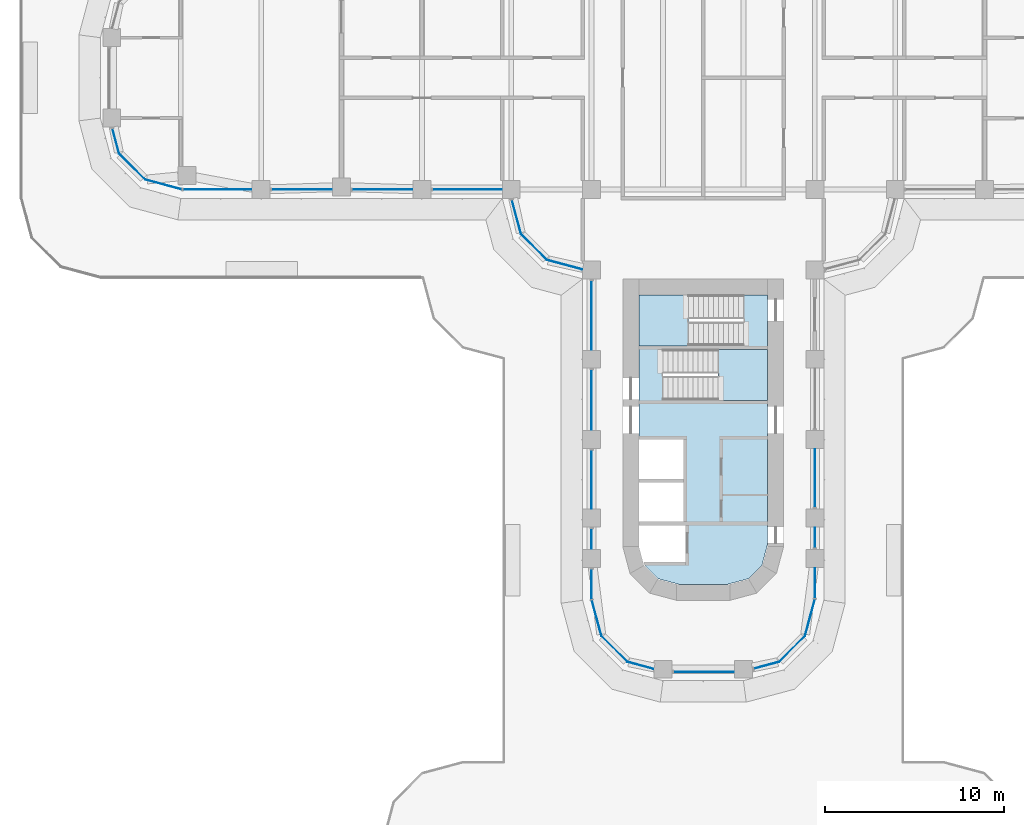
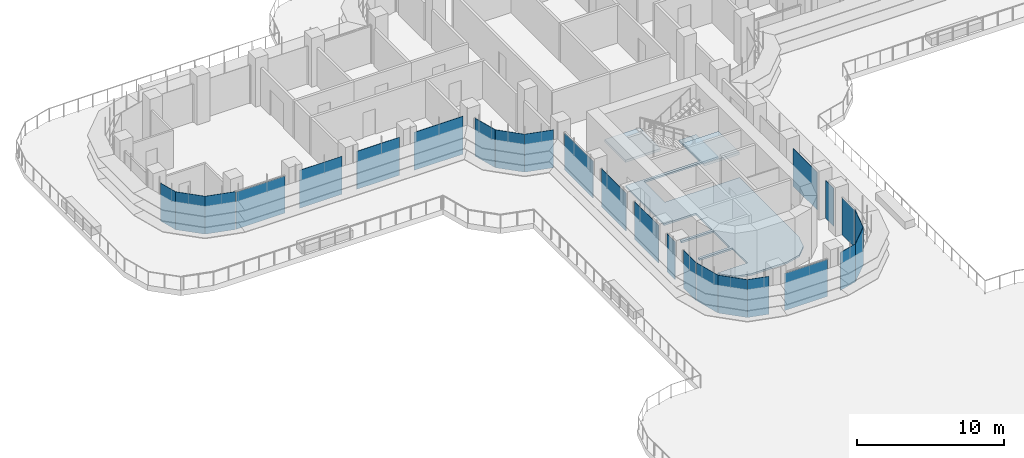
# One storey, part 12 of 26: 25 plates, 3 slabs, 18 elements without a shape of their own.
"""IFC4 building model written with IfcOpenShell, lengths in metres."""

from ifc_helpers import new_model, si_unit, direction, frame, origin, place, context, subcontext, project, spatial, polyline, outline, extrude, source, transform, mapped, material, layer, layer_set, type_object, element, aggregate, save


model = new_model("IFC4")

# Units and contexts
model_context = context("Model", 3, precision=1e-05, world=origin(), true_north=direction((0.0, 1.0)))
body_context = subcontext(model_context, "Body", "Model", "MODEL_VIEW")
ifc_project = project(units=[si_unit("LENGTHUNIT", "METRE"), si_unit("AREAUNIT", "SQUARE_METRE"), si_unit("VOLUMEUNIT", "CUBIC_METRE"), si_unit("PLANEANGLEUNIT", "RADIAN"), si_unit("MASSUNIT", "GRAM", prefix="KILO")], contexts=[model_context])

# Site, building, storey
site_placement = place(None, origin())
site = spatial("IfcSite", under=ifc_project, at=site_placement, CompositionType="ELEMENT")
building_placement = place(site_placement, origin())
building = spatial("IfcBuilding", under=site, at=building_placement, Name="Zarbagh Exchange Tower", CompositionType="ELEMENT")
storey_placement = place(building_placement, frame((0.0, 0.0, 27.0)))
storey = spatial("IfcBuildingStorey", under=building, at=storey_placement, Name="L05", CompositionType="ELEMENT", Elevation=27.0)

# Slab
ifc_material_1 = material(Name="Concrete C40/50", Category="concrete")
ifc_layer_1 = layer(ifc_material_1, 0.14990234375)
ifc_layer_set_1 = layer_set([ifc_layer_1], Name="Core floor slab 150 C40/50")
slab_type_1 = type_object("IfcSlabType", Name="Core floor slab 150 C40/50", PredefinedType="FLOOR", material=ifc_layer_set_1)
slab_1_placement = place(storey_placement, frame((0.0, 0.0, -0.14990234375)))
element("IfcSlab", 1, at=slab_1_placement, inside=storey, type_object=slab_type_1, Name="S17 core S", PredefinedType="FLOOR", context=body_context, shape_type="SweptSolid", body=[
    extrude(outline(polyline([(-2.5341796875, -28.041259765625), (-3.291259765625, -27.2841796875), (-3.340576171875, -27.10009765625), (-1.0, -27.10009765625), (-1.0, -25.050048828125), (-3.60009765625, -25.050048828125), (-3.60009765625, -24.85009765625), (-1.10009765625, -24.85009765625), (-1.10009765625, -22.64990234375), (-3.60009765625, -22.64990234375), (-3.60009765625, -22.449951171875), (-1.10009765625, -22.449951171875), (-1.10009765625, -20.25), (-3.60009765625, -20.25), (-3.60009765625, -15.0), (2.25, -15.0), (2.25, -12.14990234375), (3.60009765625, -12.14990234375), (3.60009765625, -15.199951171875), (-2.25, -15.199951171875), (-2.25, -18.050048828125), (3.60009765625, -18.050048828125), (3.60009765625, -26.131591796875), (3.291259765625, -27.2841796875), (2.5341796875, -28.041259765625), (1.381591796875, -28.35009765625), (-1.381591796875, -28.35009765625), (-2.5341796875, -28.041259765625)])), origin(), (0.0, 0.0, 1.0), 0.14990234375),
])

# Stair, slab
stair_type = type_object("IfcStairType", Name="Exit stair two-flight half-turn", PredefinedType="HALF_TURN_STAIR", material=ifc_material_1)
stair_1_placement = place(storey_placement, origin())
stair_1 = element("IfcStair", 2, at=stair_1_placement, inside=storey, type_object=stair_type, Name="exit stair ST3", PredefinedType="HALF_TURN_STAIR")
ifc_layer_2 = layer(ifc_material_1, 0.199951171875)
ifc_layer_set_2 = layer_set([ifc_layer_2], Name="Stair landing 200 mm")
slab_type_2 = type_object("IfcSlabType", Name="Stair landing 200 mm", PredefinedType="LANDING", material=ifc_layer_set_2)
slab_2_placement = place(storey_placement, frame((0.0, 0.0, 1.89990234375)))
slab_2 = element("IfcSlab", 3, at=slab_2_placement, type_object=slab_type_2, Name="ST3 landing 1", PredefinedType="LANDING", context=body_context, shape_type="SweptSolid", body=[
    extrude(outline(polyline([(0.830078125, -18.050048828125), (3.60009765625, -18.050048828125), (3.60009765625, -15.199951171875), (0.830078125, -15.199951171875), (0.830078125, -18.050048828125)])), origin(), (0.0, 0.0, 1.0), 0.2001953125),
])
aggregate(stair_1, [slab_2])

stair_2_placement = place(storey_placement, origin())
stair_2 = element("IfcStair", 4, at=stair_2_placement, inside=storey, type_object=stair_type, Name="exit stair ST4", PredefinedType="HALF_TURN_STAIR")
slab_3_placement = place(storey_placement, frame((0.0, 0.0, 1.89990234375)))
slab_3 = element("IfcSlab", 5, at=slab_3_placement, type_object=slab_type_2, Name="ST4 landing 1", PredefinedType="LANDING", context=body_context, shape_type="SweptSolid", body=[
    extrude(outline(polyline([(-0.830078125, -12.14990234375), (-3.60009765625, -12.14990234375), (-3.60009765625, -15.0), (-0.830078125, -15.0), (-0.830078125, -12.14990234375)])), origin(), (0.0, 0.0, 1.0), 0.2001953125),
])
aggregate(stair_2, [slab_3])

# Curtain wall, plate
ifc_material_2 = material(Name="Anodised aluminium frame and glazing", Category="aluminium")
curtain_wall_type = type_object("IfcCurtainWallType", Name="CWA Ribbon glazing, lower zones", PredefinedType="NOTDEFINED", material=ifc_material_2)
curtain_wall_1_placement = place(storey_placement, origin())
curtain_wall_1 = element("IfcCurtainWall", 6, at=curtain_wall_1_placement, inside=storey, type_object=curtain_wall_type, Name="CWA01 curtain wall", PredefinedType="NOTDEFINED")
ifc_material_3 = material(Name="Low-e double glazed unit, 6+12+6 mm")
ifc_layer_3 = layer(ifc_material_3, 0.028076171875)
ifc_layer_set_3 = layer_set([ifc_layer_3], Name="PAA Glazing panel, Low-e double glazed unit, 6+12+6 mm")
plate_type = type_object("IfcPlateType", Name="PAA Glazing panel, Low-e double glazed unit, 6+12+6 mm", PredefinedType="CURTAIN_PANEL", material=ifc_layer_set_3)
shared_shape_1 = source(origin(), body_context, "Body", "SweptSolid", [
    extrude(outline(polyline([(0.0, -0.013916015625), (1.4423828125, -0.013916015625), (1.4423828125, 0.013916015625), (0.0, 0.013916015625), (0.0, -0.013916015625)])), origin(), (0.0, 0.0, 1.0), 3.14990234375),
])
placement = place(storey_placement, origin())
plate_1 = element("IfcPlate", 7, at=placement, type_object=plate_type, Name="CWA01 glazing panel 1.1", PredefinedType="CURTAIN_PANEL", context=body_context, shape_type="MappedRepresentation", body=[
    mapped(shared_shape_1, transform((2.847900390625, -33.072021484375, 0.0), x_axis=(0.965924289636, 0.258824779902, 0.0), y_axis=(-0.258824779902, 0.965924289636, 0.0), z_axis=(0.0, 0.0, 1.0))),
])
aggregate(curtain_wall_1, [plate_1])

curtain_wall_2_placement = place(storey_placement, origin())
curtain_wall_2 = element("IfcCurtainWall", 8, at=curtain_wall_2_placement, inside=storey, type_object=curtain_wall_type, Name="CWA37 curtain wall", PredefinedType="NOTDEFINED")
plate_2 = element("IfcPlate", 9, at=placement, type_object=plate_type, Name="CWA37 glazing panel 1.1", PredefinedType="CURTAIN_PANEL", context=body_context, shape_type="MappedRepresentation", body=[
    mapped(shared_shape_1, transform((-33.072021484375, -2.847900390625, 0.0), x_axis=(0.258824779902, -0.965924289636, 0.0), y_axis=(0.965924289636, 0.258824779902, 0.0), z_axis=(0.0, 0.0, 1.0))),
])
aggregate(curtain_wall_2, [plate_2])

curtain_wall_3_placement = place(storey_placement, origin())
curtain_wall_3 = element("IfcCurtainWall", 10, at=curtain_wall_3_placement, inside=storey, type_object=curtain_wall_type, Name="CWA02 curtain wall", PredefinedType="NOTDEFINED")
shared_shape_2 = source(origin(), body_context, "Body", "SweptSolid", [
    extrude(outline(polyline([(0.0, -0.013916015625), (2.061279296875, -0.013916015625), (2.061279296875, 0.013916015625), (0.0, 0.013916015625), (0.0, -0.013916015625)])), origin(), (0.0, 0.0, 1.0), 3.14990234375),
])
plate_3 = element("IfcPlate", 11, at=placement, type_object=plate_type, Name="CWA02 glazing panel 1.1", PredefinedType="CURTAIN_PANEL", context=body_context, shape_type="MappedRepresentation", body=[
    mapped(shared_shape_2, transform((4.2412109375, -32.69873046875, 0.0), x_axis=(0.707106781187, 0.707106781187, 0.0), y_axis=(-0.707106781187, 0.707106781187, 0.0), z_axis=(0.0, 0.0, 1.0))),
])
aggregate(curtain_wall_3, [plate_3])

curtain_wall_4_placement = place(storey_placement, origin())
curtain_wall_4 = element("IfcCurtainWall", 12, at=curtain_wall_4_placement, inside=storey, type_object=curtain_wall_type, Name="CWA38 curtain wall", PredefinedType="NOTDEFINED")
plate_4 = element("IfcPlate", 13, at=placement, type_object=plate_type, Name="CWA38 glazing panel 1.1", PredefinedType="CURTAIN_PANEL", context=body_context, shape_type="MappedRepresentation", body=[
    mapped(shared_shape_2, transform((-32.69873046875, -4.2412109375, 0.0), x_axis=(0.707106781187, -0.707106781187, 0.0), y_axis=(0.707106781187, 0.707106781187, 0.0), z_axis=(0.0, 0.0, 1.0))),
])
aggregate(curtain_wall_4, [plate_4])

curtain_wall_5_placement = place(storey_placement, origin())
curtain_wall_5 = element("IfcCurtainWall", 14, at=curtain_wall_5_placement, inside=storey, type_object=curtain_wall_type, Name="CWA42 curtain wall", PredefinedType="NOTDEFINED")
plate_5 = element("IfcPlate", 15, at=placement, type_object=plate_type, Name="CWA42 glazing panel 1.1", PredefinedType="CURTAIN_PANEL", context=body_context, shape_type="MappedRepresentation", body=[
    mapped(shared_shape_2, transform((-10.19873046875, -8.7412109375, 0.0), x_axis=(0.707106781187, -0.707106781187, 0.0), y_axis=(0.707106781187, 0.707106781187, 0.0), z_axis=(0.0, 0.0, 1.0))),
])
aggregate(curtain_wall_5, [plate_5])

curtain_wall_6_placement = place(storey_placement, origin())
curtain_wall_6 = element("IfcCurtainWall", 16, at=curtain_wall_6_placement, inside=storey, type_object=curtain_wall_type, Name="CWA46 curtain wall", PredefinedType="NOTDEFINED")
plate_6 = element("IfcPlate", 17, at=placement, type_object=plate_type, Name="CWA46 glazing panel 1.1", PredefinedType="CURTAIN_PANEL", context=body_context, shape_type="MappedRepresentation", body=[
    mapped(shared_shape_2, transform((-5.69873046875, -31.2412109375, 0.0), x_axis=(0.707106781187, -0.707106781187, 0.0), y_axis=(0.707106781187, 0.707106781187, 0.0), z_axis=(0.0, 0.0, 1.0))),
])
aggregate(curtain_wall_6, [plate_6])

curtain_wall_7_placement = place(storey_placement, origin())
curtain_wall_7 = element("IfcCurtainWall", 18, at=curtain_wall_7_placement, inside=storey, type_object=curtain_wall_type, Name="CWA03 curtain wall", PredefinedType="NOTDEFINED")
shared_shape_3 = source(origin(), body_context, "Body", "SweptSolid", [
    extrude(outline(polyline([(0.0, -0.013916015625), (2.129638671875, -0.013916015625), (2.129638671875, 0.013916015625), (0.0, 0.013916015625), (0.0, -0.013916015625)])), origin(), (0.0, 0.0, 1.0), 3.14990234375),
])
plate_7 = element("IfcPlate", 19, at=placement, type_object=plate_type, Name="CWA03 glazing panel 1.1", PredefinedType="CURTAIN_PANEL", context=body_context, shape_type="MappedRepresentation", body=[
    mapped(shared_shape_3, transform((5.69873046875, -31.2412109375, 0.0), x_axis=(0.258824779902, 0.965924289636, 0.0), y_axis=(-0.965924289636, 0.258824779902, 0.0), z_axis=(0.0, 0.0, 1.0))),
])
aggregate(curtain_wall_7, [plate_7])

curtain_wall_8_placement = place(storey_placement, origin())
curtain_wall_8 = element("IfcCurtainWall", 20, at=curtain_wall_8_placement, inside=storey, type_object=curtain_wall_type, Name="CWA39 curtain wall", PredefinedType="NOTDEFINED")
plate_8 = element("IfcPlate", 21, at=placement, type_object=plate_type, Name="CWA39 glazing panel 1.1", PredefinedType="CURTAIN_PANEL", context=body_context, shape_type="MappedRepresentation", body=[
    mapped(shared_shape_3, transform((-31.2412109375, -5.69873046875, 0.0), x_axis=(0.965924289636, -0.258824779902, 0.0), y_axis=(0.258824779902, 0.965924289636, 0.0), z_axis=(0.0, 0.0, 1.0))),
])
aggregate(curtain_wall_8, [plate_8])

# Curtain wall, plates
curtain_wall_9_placement = place(storey_placement, origin())
curtain_wall_9 = element("IfcCurtainWall", 22, at=curtain_wall_9_placement, inside=storey, type_object=curtain_wall_type, Name="CWA04 curtain wall", PredefinedType="NOTDEFINED")
shared_shape_4 = source(origin(), body_context, "Body", "SweptSolid", [
    extrude(outline(polyline([(0.0, -0.013916015625), (1.68408203125, -0.013916015625), (1.68408203125, 0.013916015625), (0.0, 0.013916015625), (0.0, -0.013916015625)])), origin(), (0.0, 0.0, 1.0), 3.090087890625),
])
plate_9 = element("IfcPlate", 23, at=placement, type_object=plate_type, Name="CWA04 glazing panel 1.1", PredefinedType="CURTAIN_PANEL", context=body_context, shape_type="MappedRepresentation", body=[
    mapped(shared_shape_4, transform((6.25, -29.124267578125, 0.0), x_axis=(0.0, 1.0, 0.0), y_axis=(-1.0, 0.0, 0.0), z_axis=(0.0, 0.0, 1.0))),
])
shared_shape_5 = source(origin(), body_context, "Body", "SweptSolid", [
    extrude(outline(polyline([(0.0, -0.013916015625), (1.110107421875, -0.013916015625), (1.110107421875, 0.013916015625), (0.0, 0.013916015625), (0.0, -0.013916015625)])), origin(), (0.0, 0.0, 1.0), 3.14990234375),
])
plate_10 = element("IfcPlate", 24, at=placement, type_object=plate_type, Name="CWA04 glazing panel 2.1", PredefinedType="CURTAIN_PANEL", context=body_context, shape_type="MappedRepresentation", body=[
    mapped(shared_shape_5, transform((6.25, -26.300048828125, 0.0), x_axis=(0.0, 1.0, 0.0), y_axis=(-1.0, 0.0, 0.0), z_axis=(0.0, 0.0, 1.0))),
])

# Curtain wall, plate
curtain_wall_10_placement = place(storey_placement, origin())
curtain_wall_10 = element("IfcCurtainWall", 25, at=curtain_wall_10_placement, inside=storey, type_object=curtain_wall_type, Name="CWA44 curtain wall", PredefinedType="NOTDEFINED")
plate_11 = element("IfcPlate", 26, at=placement, type_object=plate_type, Name="CWA44 glazing panel 4.1", PredefinedType="CURTAIN_PANEL", context=body_context, shape_type="MappedRepresentation", body=[
    mapped(shared_shape_5, transform((-6.25, -25.25, 0.0), x_axis=(0.0, -1.0, 0.0), y_axis=(1.0, 0.0, 0.0), z_axis=(0.0, 0.0, 1.0))),
])

# Plate
shared_shape_6 = source(origin(), body_context, "Body", "SweptSolid", [
    extrude(outline(polyline([(0.0, -0.013916015625), (3.260009765625, -0.013916015625), (3.260009765625, 0.013916015625), (0.0, 0.013916015625), (0.0, -0.013916015625)])), origin(), (0.0, 0.0, 1.0), 3.14990234375),
])
plate_12 = element("IfcPlate", 27, at=placement, type_object=plate_type, Name="CWA04 glazing panel 3.1", PredefinedType="CURTAIN_PANEL", context=body_context, shape_type="MappedRepresentation", body=[
    mapped(shared_shape_6, transform((6.25, -24.050048828125, 0.0), x_axis=(0.0, 1.0, 0.0), y_axis=(-1.0, 0.0, 0.0), z_axis=(0.0, 0.0, 1.0))),
])

aggregate(curtain_wall_9, [plate_9, plate_10, plate_12])

plate_13 = element("IfcPlate", 28, at=placement, type_object=plate_type, Name="CWA44 glazing panel 3.1", PredefinedType="CURTAIN_PANEL", context=body_context, shape_type="MappedRepresentation", body=[
    mapped(shared_shape_6, transform((-6.25, -20.85009765625, 0.0), x_axis=(0.0, -1.0, 0.0), y_axis=(1.0, 0.0, 0.0), z_axis=(0.0, 0.0, 1.0))),
])

# Curtain wall, plates
curtain_wall_11_placement = place(storey_placement, origin())
curtain_wall_11 = element("IfcCurtainWall", 29, at=curtain_wall_11_placement, inside=storey, type_object=curtain_wall_type, Name="CWA40 curtain wall", PredefinedType="NOTDEFINED")
shared_shape_7 = source(origin(), body_context, "Body", "SweptSolid", [
    extrude(outline(polyline([(0.0, -0.013916015625), (3.360107421875, -0.013916015625), (3.360107421875, 0.013916015625), (0.0, 0.013916015625), (0.0, -0.013916015625)])), origin(), (0.0, 0.0, 1.0), 3.14990234375),
])
plate_14 = element("IfcPlate", 30, at=placement, type_object=plate_type, Name="CWA40 glazing panel 2.1", PredefinedType="CURTAIN_PANEL", context=body_context, shape_type="MappedRepresentation", body=[
    mapped(shared_shape_7, transform((-24.14990234375, -6.25, 0.0), x_axis=(1.0, 0.0, 0.0), y_axis=(0.0, 1.0, 0.0), z_axis=(0.0, 0.0, 1.0))),
])
plate_15 = element("IfcPlate", 31, at=placement, type_object=plate_type, Name="CWA40 glazing panel 3.1", PredefinedType="CURTAIN_PANEL", context=body_context, shape_type="MappedRepresentation", body=[
    mapped(shared_shape_7, transform((-19.64990234375, -6.25, 0.0), x_axis=(1.0, 0.0, 0.0), y_axis=(0.0, 1.0, 0.0), z_axis=(0.0, 0.0, 1.0))),
])

# Plate
plate_16 = element("IfcPlate", 32, at=placement, type_object=plate_type, Name="CWA44 glazing panel 2.1", PredefinedType="CURTAIN_PANEL", context=body_context, shape_type="MappedRepresentation", body=[
    mapped(shared_shape_7, transform((-6.25, -16.35009765625, 0.0), x_axis=(0.0, -1.0, 0.0), y_axis=(1.0, 0.0, 0.0), z_axis=(0.0, 0.0, 1.0))),
])

# Curtain wall, plate
curtain_wall_12_placement = place(storey_placement, origin())
curtain_wall_12 = element("IfcCurtainWall", 33, at=curtain_wall_12_placement, inside=storey, type_object=curtain_wall_type, Name="CWA41 curtain wall", PredefinedType="NOTDEFINED")
shared_shape_8 = source(origin(), body_context, "Body", "SweptSolid", [
    extrude(outline(polyline([(0.0, -0.013916015625), (1.9599609375, -0.013916015625), (1.9599609375, 0.013916015625), (0.0, 0.013916015625), (0.0, -0.013916015625)])), origin(), (0.0, 0.0, 1.0), 3.14990234375),
])
plate_17 = element("IfcPlate", 34, at=placement, type_object=plate_type, Name="CWA41 glazing panel 1.1", PredefinedType="CURTAIN_PANEL", context=body_context, shape_type="MappedRepresentation", body=[
    mapped(shared_shape_8, transform((-10.7060546875, -6.847900390625, 0.0), x_axis=(0.258824779902, -0.965924289636, 0.0), y_axis=(0.965924289636, 0.258824779902, 0.0), z_axis=(0.0, 0.0, 1.0))),
])
aggregate(curtain_wall_12, [plate_17])

curtain_wall_13_placement = place(storey_placement, origin())
curtain_wall_13 = element("IfcCurtainWall", 35, at=curtain_wall_13_placement, inside=storey, type_object=curtain_wall_type, Name="CWA43 curtain wall", PredefinedType="NOTDEFINED")
shared_shape_9 = source(origin(), body_context, "Body", "SweptSolid", [
    extrude(outline(polyline([(0.0, -0.013916015625), (2.02001953125, -0.013916015625), (2.02001953125, 0.013916015625), (0.0, 0.013916015625), (0.0, -0.013916015625)])), origin(), (0.0, 0.0, 1.0), 3.14990234375),
])
plate_18 = element("IfcPlate", 36, at=placement, type_object=plate_type, Name="CWA43 glazing panel 1.1", PredefinedType="CURTAIN_PANEL", context=body_context, shape_type="MappedRepresentation", body=[
    mapped(shared_shape_9, transform((-8.7412109375, -10.19873046875, 0.0), x_axis=(0.965924289636, -0.258824779902, 0.0), y_axis=(0.258824779902, 0.965924289636, 0.0), z_axis=(0.0, 0.0, 1.0))),
])
aggregate(curtain_wall_13, [plate_18])

# Plate
shared_shape_10 = source(origin(), body_context, "Body", "SweptSolid", [
    extrude(outline(polyline([(0.0, -0.013916015625), (3.860107421875, -0.013916015625), (3.860107421875, 0.013916015625), (0.0, 0.013916015625), (0.0, -0.013916015625)])), origin(), (0.0, 0.0, 1.0), 3.090087890625),
])
plate_19 = element("IfcPlate", 37, at=placement, type_object=plate_type, Name="CWA44 glazing panel 1.1", PredefinedType="CURTAIN_PANEL", context=body_context, shape_type="MappedRepresentation", body=[
    mapped(shared_shape_10, transform((-6.25, -11.35009765625, 0.0), x_axis=(0.0, -1.0, 0.0), y_axis=(1.0, 0.0, 0.0), z_axis=(0.0, 0.0, 1.0))),
])

# Curtain wall, plate
curtain_wall_14_placement = place(storey_placement, origin())
curtain_wall_14 = element("IfcCurtainWall", 38, at=curtain_wall_14_placement, inside=storey, type_object=curtain_wall_type, Name="CWA45 curtain wall", PredefinedType="NOTDEFINED")
shared_shape_11 = source(origin(), body_context, "Body", "SweptSolid", [
    extrude(outline(polyline([(0.0, -0.013916015625), (2.069580078125, -0.013916015625), (2.069580078125, 0.013916015625), (0.0, 0.013916015625), (0.0, -0.013916015625)])), origin(), (0.0, 0.0, 1.0), 3.14990234375),
])
plate_20 = element("IfcPlate", 39, at=placement, type_object=plate_type, Name="CWA45 glazing panel 1.1", PredefinedType="CURTAIN_PANEL", context=body_context, shape_type="MappedRepresentation", body=[
    mapped(shared_shape_11, transform((-6.234375, -29.2421875, 0.0), x_axis=(0.258824779902, -0.965924289636, 0.0), y_axis=(0.965924289636, 0.258824779902, 0.0), z_axis=(0.0, 0.0, 1.0))),
])
aggregate(curtain_wall_14, [plate_20])

curtain_wall_15_placement = place(storey_placement, origin())
curtain_wall_15 = element("IfcCurtainWall", 40, at=curtain_wall_15_placement, inside=storey, type_object=curtain_wall_type, Name="CWA47 curtain wall", PredefinedType="NOTDEFINED")
shared_shape_12 = source(origin(), body_context, "Body", "SweptSolid", [
    extrude(outline(polyline([(0.0, -0.013916015625), (1.50244140625, -0.013916015625), (1.50244140625, 0.013916015625), (0.0, 0.013916015625), (0.0, -0.013916015625)])), origin(), (0.0, 0.0, 1.0), 3.14990234375),
])
plate_21 = element("IfcPlate", 41, at=placement, type_object=plate_type, Name="CWA47 glazing panel 1.1", PredefinedType="CURTAIN_PANEL", context=body_context, shape_type="MappedRepresentation", body=[
    mapped(shared_shape_12, transform((-4.2412109375, -32.69873046875, 0.0), x_axis=(0.965924289636, -0.258824779902, 0.0), y_axis=(0.258824779902, 0.965924289636, 0.0), z_axis=(0.0, 0.0, 1.0))),
])
aggregate(curtain_wall_15, [plate_21])

curtain_wall_16_placement = place(storey_placement, origin())
curtain_wall_16 = element("IfcCurtainWall", 42, at=curtain_wall_16_placement, inside=storey, type_object=curtain_wall_type, Name="CWA48 curtain wall", PredefinedType="NOTDEFINED")
shared_shape_13 = source(origin(), body_context, "Body", "SweptSolid", [
    extrude(outline(polyline([(0.0, -0.013916015625), (3.360107421875, -0.013916015625), (3.360107421875, 0.013916015625), (0.0, 0.013916015625), (0.0, -0.013916015625)])), origin(), (0.0, 0.0, 1.0), 3.090087890625),
])
plate_22 = element("IfcPlate", 43, at=placement, type_object=plate_type, Name="CWA48 glazing panel 1.1", PredefinedType="CURTAIN_PANEL", context=body_context, shape_type="MappedRepresentation", body=[
    mapped(shared_shape_13, transform((-1.64990234375, -33.25, 0.0), x_axis=(1.0, 0.0, 0.0), y_axis=(0.0, 1.0, 0.0), z_axis=(0.0, 0.0, 1.0))),
])
aggregate(curtain_wall_16, [plate_22])

# Plate
shared_shape_14 = source(origin(), body_context, "Body", "SweptSolid", [
    extrude(outline(polyline([(0.0, -0.013916015625), (3.834228515625, -0.013916015625), (3.834228515625, 0.013916015625), (0.0, 0.013916015625), (0.0, -0.013916015625)])), origin(), (0.0, 0.0, 1.0), 3.090087890625),
])
plate_23 = element("IfcPlate", 44, at=placement, type_object=plate_type, Name="CWA40 glazing panel 1.1", PredefinedType="CURTAIN_PANEL", context=body_context, shape_type="MappedRepresentation", body=[
    mapped(shared_shape_14, transform((-29.124267578125, -6.25, 0.0), x_axis=(1.0, 0.0, 0.0), y_axis=(0.0, 1.0, 0.0), z_axis=(0.0, 0.0, 1.0))),
])

shared_shape_15 = source(origin(), body_context, "Body", "SweptSolid", [
    extrude(outline(polyline([(0.0, -0.013916015625), (3.860107421875, -0.013916015625), (3.860107421875, 0.013916015625), (0.0, 0.013916015625), (0.0, -0.013916015625)])), origin(), (0.0, 0.0, 1.0), 3.14990234375),
])
plate_24 = element("IfcPlate", 45, at=placement, type_object=plate_type, Name="CWA40 glazing panel 4.1", PredefinedType="CURTAIN_PANEL", context=body_context, shape_type="MappedRepresentation", body=[
    mapped(shared_shape_15, transform((-15.14990234375, -6.25, 0.0), x_axis=(1.0, 0.0, 0.0), y_axis=(0.0, 1.0, 0.0), z_axis=(0.0, 0.0, 1.0))),
])

aggregate(curtain_wall_11, [plate_23, plate_14, plate_15, plate_24])

shared_shape_16 = source(origin(), body_context, "Body", "SweptSolid", [
    extrude(outline(polyline([(0.0, -0.013916015625), (1.68408203125, -0.013916015625), (1.68408203125, 0.013916015625), (0.0, 0.013916015625), (0.0, -0.013916015625)])), origin(), (0.0, 0.0, 1.0), 3.14990234375),
])
plate_25 = element("IfcPlate", 46, at=placement, type_object=plate_type, Name="CWA44 glazing panel 5.1", PredefinedType="CURTAIN_PANEL", context=body_context, shape_type="MappedRepresentation", body=[
    mapped(shared_shape_16, transform((-6.25, -27.5, 0.0), x_axis=(0.0, -1.0, 0.0), y_axis=(1.0, 0.0, 0.0), z_axis=(0.0, 0.0, 1.0))),
])

aggregate(curtain_wall_10, [plate_19, plate_16, plate_13, plate_11, plate_25])

save(model, "model.ifc")
